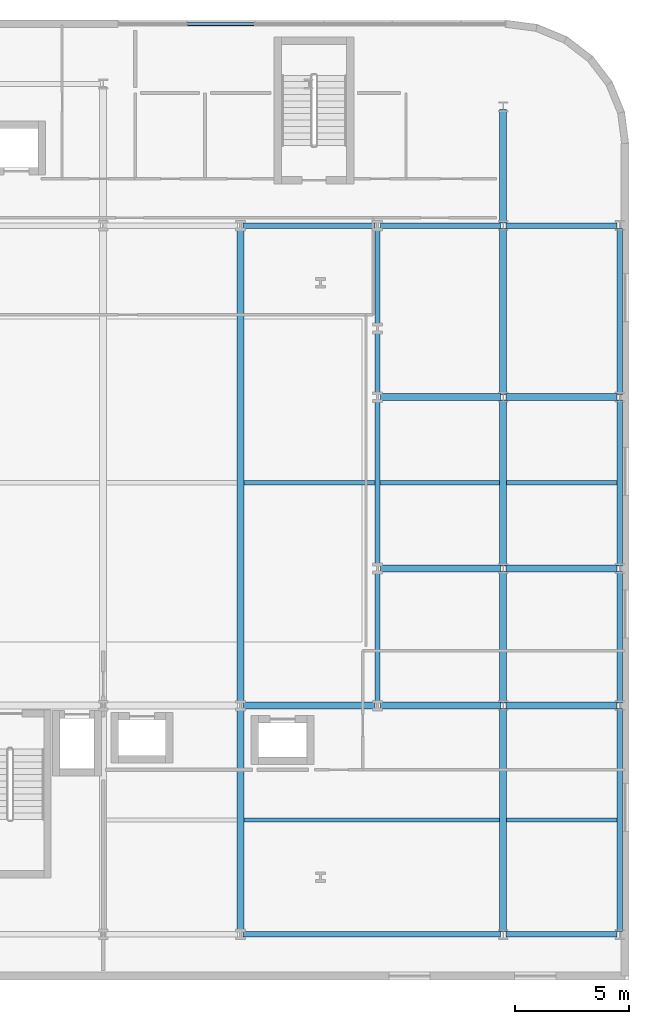
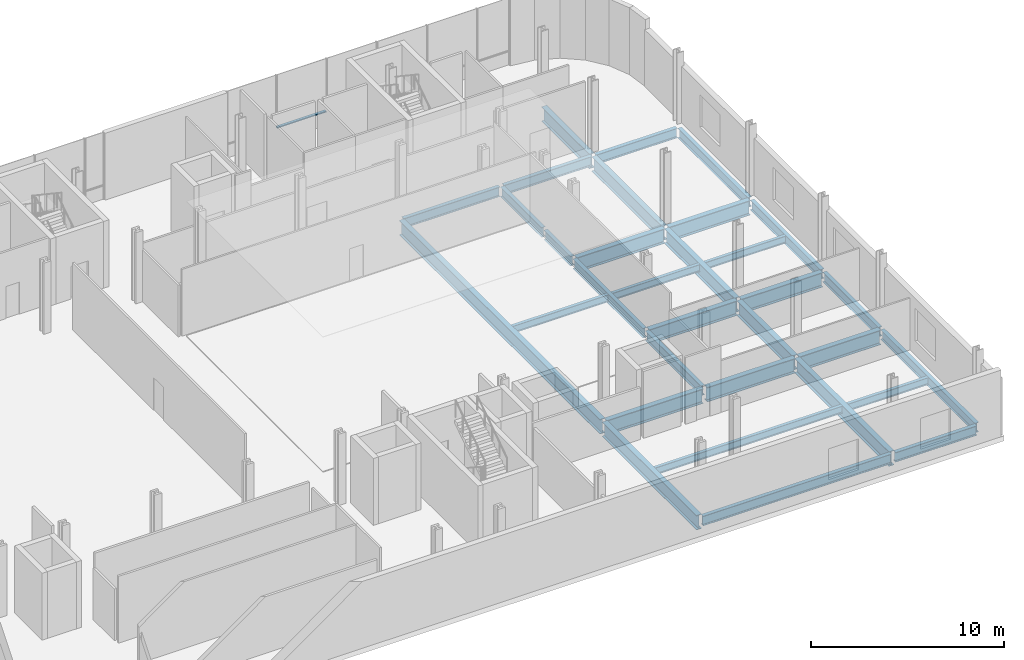
# One storey, part 12 of 25: 32 beams, 1 member, 1 element without a shape of its own.
"""IFC4 building model written with IfcOpenShell, lengths in metres."""

from ifc_helpers import new_model, si_unit, direction, frame, origin, origin_2d, place, context, subcontext, project, spatial, hollow_rectangle, i_section, extrude, material, layer, layer_set, material_profile, profile_set, type_object, element, aggregate, save


model = new_model("IFC4")

# Units and contexts
model_context = context("Model", 3, precision=1e-05, world=origin(), true_north=direction((0.0, 1.0)))
body_context = subcontext(model_context, "Body", "Model", "MODEL_VIEW")
ifc_project = project(units=[si_unit("LENGTHUNIT", "METRE"), si_unit("AREAUNIT", "SQUARE_METRE"), si_unit("VOLUMEUNIT", "CUBIC_METRE"), si_unit("PLANEANGLEUNIT", "RADIAN"), si_unit("MASSUNIT", "GRAM", prefix="KILO")], contexts=[model_context])

# Site, building, storey
site_placement = place(None, origin())
site = spatial("IfcSite", under=ifc_project, at=site_placement, CompositionType="ELEMENT")
building_placement = place(site_placement, origin())
building = spatial("IfcBuilding", under=site, at=building_placement, Name="Brevholm Reach", CompositionType="ELEMENT")
storey_placement = place(building_placement, frame((0.0, 0.0, 4.5)))
storey = spatial("IfcBuildingStorey", under=building, at=storey_placement, Name="L01", CompositionType="ELEMENT", Elevation=4.5)

# Beams
ifc_material_1 = material(Name="Structural Steel S355J2", Category="steel")
ifc_material_profile_1 = material_profile(ifc_material_1, i_section(OverallWidth=0.1904296875, OverallDepth=0.45703125, WebThickness=0.009033203125, FlangeThickness=0.014404296875, FilletRadius=0.01025390625, at=origin_2d()), Name="UKB 457x191x74")
ifc_profile_set_1 = profile_set([ifc_material_profile_1], Name="Structural Steel S355J2")
beam_type_1 = type_object("IfcBeamType", Name="BM-B457", PredefinedType="BEAM", material=ifc_profile_set_1)
beam_1_placement = place(storey_placement, frame((54.15380859375, 5.0, -0.548583984375), z_axis=(1.0, 0.0, 0.0), x_axis=(0.0, 1.0, 0.0)))
element("IfcBeam", 1, at=beam_1_placement, inside=storey, type_object=beam_type_1, Name="L01 Composite Secondary Floor Beam", PredefinedType="BEAM", context=body_context, shape_type="SweptSolid", body=[
    extrude(i_section(OverallWidth=0.1904296875, OverallDepth=0.45703125, WebThickness=0.009033203125, FlangeThickness=0.014404296875, FilletRadius=0.01025390625, at=origin_2d()), origin(), (0.0, 0.0, 1.0), 11.1923828125),
])
beam_2_placement = place(storey_placement, frame((65.65380859375, 5.0, -0.548583984375), z_axis=(1.0, 0.0, 0.0), x_axis=(0.0, 1.0, 0.0)))
element("IfcBeam", 2, at=beam_2_placement, inside=storey, type_object=beam_type_1, Name="L01 Composite Secondary Floor Beam", PredefinedType="BEAM", context=body_context, shape_type="SweptSolid", body=[
    extrude(i_section(OverallWidth=0.1904296875, OverallDepth=0.45703125, WebThickness=0.009033203125, FlangeThickness=0.014404296875, FilletRadius=0.01025390625, at=origin_2d()), origin(), (0.0, 0.0, 1.0), 4.831787109375),
])
beam_3_placement = place(storey_placement, frame((54.15380859375, 19.75, -0.548583984375), z_axis=(1.0, 0.0, 0.0), x_axis=(0.0, 1.0, 0.0)))
element("IfcBeam", 3, at=beam_3_placement, inside=storey, type_object=beam_type_1, Name="L01 Composite Secondary Floor Beam", PredefinedType="BEAM", context=body_context, shape_type="SweptSolid", body=[
    extrude(i_section(OverallWidth=0.1904296875, OverallDepth=0.45703125, WebThickness=0.009033203125, FlangeThickness=0.014404296875, FilletRadius=0.01025390625, at=origin_2d()), origin(), (0.0, 0.0, 1.0), 5.731689453125),
])
beam_4_placement = place(storey_placement, frame((60.114501953125, 19.75, -0.548583984375), z_axis=(1.0, 0.0, 0.0), x_axis=(0.0, 1.0, 0.0)))
element("IfcBeam", 4, at=beam_4_placement, inside=storey, type_object=beam_type_1, Name="L01 Composite Secondary Floor Beam", PredefinedType="BEAM", context=body_context, shape_type="SweptSolid", body=[
    extrude(i_section(OverallWidth=0.1904296875, OverallDepth=0.45703125, WebThickness=0.009033203125, FlangeThickness=0.014404296875, FilletRadius=0.01025390625, at=origin_2d()), origin(), (0.0, 0.0, 1.0), 5.231689453125),
])
beam_5_placement = place(storey_placement, frame((65.65380859375, 19.75, -0.548583984375), z_axis=(1.0, 0.0, 0.0), x_axis=(0.0, 1.0, 0.0)))
element("IfcBeam", 5, at=beam_5_placement, inside=storey, type_object=beam_type_1, Name="L01 Composite Secondary Floor Beam", PredefinedType="BEAM", context=body_context, shape_type="SweptSolid", body=[
    extrude(i_section(OverallWidth=0.1904296875, OverallDepth=0.45703125, WebThickness=0.009033203125, FlangeThickness=0.014404296875, FilletRadius=0.01025390625, at=origin_2d()), origin(), (0.0, 0.0, 1.0), 4.831787109375),
])
ifc_material_2 = material(Name="Structural Steel S355J2", Category="steel")
ifc_material_profile_2 = material_profile(ifc_material_2, i_section(OverallWidth=0.22900390625, OverallDepth=0.6123046875, WebThickness=0.011962890625, FlangeThickness=0.01953125, FilletRadius=0.0126953125, at=origin_2d()), Name="UKB 610x229x125")
ifc_profile_set_2 = profile_set([ifc_material_profile_2], Name="Structural Steel S355J2")
beam_type_2 = type_object("IfcBeamType", Name="BM-SP610", PredefinedType="SPANDREL", material=ifc_profile_set_2)
beam_6_placement = place(storey_placement, frame((54.1201171875, 0.0, -0.626220703125), z_axis=(1.0, 0.0, 0.0), x_axis=(0.0, 1.0, 0.0)))
element("IfcBeam", 6, at=beam_6_placement, inside=storey, type_object=beam_type_2, Name="L01 SP-01 Framing Beam", PredefinedType="SPANDREL", context=body_context, shape_type="SweptSolid", body=[
    extrude(i_section(OverallWidth=0.22900390625, OverallDepth=0.6123046875, WebThickness=0.011962890625, FlangeThickness=0.01953125, FilletRadius=0.0126953125, at=origin_2d()), origin(), (0.0, 0.0, 1.0), 11.259765625),
])
beam_7_placement = place(storey_placement, frame((65.6201171875, 0.0, -0.626220703125), z_axis=(1.0, 0.0, 0.0), x_axis=(0.0, 1.0, 0.0)))
element("IfcBeam", 7, at=beam_7_placement, inside=storey, type_object=beam_type_2, Name="L01 SP-01 Framing Beam", PredefinedType="SPANDREL", context=body_context, shape_type="SweptSolid", body=[
    extrude(i_section(OverallWidth=0.22900390625, OverallDepth=0.6123046875, WebThickness=0.011962890625, FlangeThickness=0.01953125, FilletRadius=0.0126953125, at=origin_2d()), origin(), (0.0, 0.0, 1.0), 4.85986328125),
])
beam_8_placement = place(storey_placement, frame((54.1201171875, 31.0, -0.626220703125), z_axis=(1.0, 0.0, 0.0), x_axis=(0.0, 1.0, 0.0)))
element("IfcBeam", 8, at=beam_8_placement, inside=storey, type_object=beam_type_2, Name="L01 SP-01 Framing Beam", PredefinedType="SPANDREL", context=body_context, shape_type="SweptSolid", body=[
    extrude(i_section(OverallWidth=0.22900390625, OverallDepth=0.6123046875, WebThickness=0.011962890625, FlangeThickness=0.01953125, FilletRadius=0.0126953125, at=origin_2d()), origin(), (0.0, 0.0, 1.0), 5.759765625),
])
beam_9_placement = place(storey_placement, frame((60.1201171875, 31.0, -0.626220703125), z_axis=(1.0, 0.0, 0.0), x_axis=(0.0, 1.0, 0.0)))
element("IfcBeam", 9, at=beam_9_placement, inside=storey, type_object=beam_type_2, Name="L01 SP-01 Framing Beam", PredefinedType="SPANDREL", context=body_context, shape_type="SweptSolid", body=[
    extrude(i_section(OverallWidth=0.22900390625, OverallDepth=0.6123046875, WebThickness=0.011962890625, FlangeThickness=0.01953125, FilletRadius=0.0126953125, at=origin_2d()), origin(), (0.0, 0.0, 1.0), 5.259765625),
])
beam_10_placement = place(storey_placement, frame((65.6201171875, 31.0, -0.626220703125), z_axis=(1.0, 0.0, 0.0), x_axis=(0.0, 1.0, 0.0)))
element("IfcBeam", 10, at=beam_10_placement, inside=storey, type_object=beam_type_2, Name="L01 SP-01 Framing Beam", PredefinedType="SPANDREL", context=body_context, shape_type="SweptSolid", body=[
    extrude(i_section(OverallWidth=0.22900390625, OverallDepth=0.6123046875, WebThickness=0.011962890625, FlangeThickness=0.01953125, FilletRadius=0.0126953125, at=origin_2d()), origin(), (0.0, 0.0, 1.0), 4.85986328125),
])
beam_11_placement = place(storey_placement, frame((60.0, 10.1201171875, -0.626220703125), z_axis=(0.0, 1.0, 0.0), x_axis=(-1.0, 0.0, 0.0)))
element("IfcBeam", 11, at=beam_11_placement, inside=storey, type_object=beam_type_2, Name="L01 SP-01 Framing Beam", PredefinedType="SPANDREL", context=body_context, shape_type="SweptSolid", body=[
    extrude(i_section(OverallWidth=0.22900390625, OverallDepth=0.6123046875, WebThickness=0.011962890625, FlangeThickness=0.01953125, FilletRadius=0.0126953125, at=origin_2d()), origin(), (0.0, 0.0, 1.0), 5.759765625),
])
beam_12_placement = place(storey_placement, frame((60.0, 16.1201171875, -0.626220703125), z_axis=(0.0, 1.0, 0.0), x_axis=(-1.0, 0.0, 0.0)))
element("IfcBeam", 12, at=beam_12_placement, inside=storey, type_object=beam_type_2, Name="L01 SP-01 Framing Beam", PredefinedType="SPANDREL", context=body_context, shape_type="SweptSolid", body=[
    extrude(i_section(OverallWidth=0.22900390625, OverallDepth=0.6123046875, WebThickness=0.011962890625, FlangeThickness=0.01953125, FilletRadius=0.0126953125, at=origin_2d()), origin(), (0.0, 0.0, 1.0), 7.259765625),
])
beam_13_placement = place(storey_placement, frame((60.0, 23.6201171875, -0.626220703125), z_axis=(0.0, 1.0, 0.0), x_axis=(-1.0, 0.0, 0.0)))
element("IfcBeam", 13, at=beam_13_placement, inside=storey, type_object=beam_type_2, Name="L01 SP-01 Framing Beam", PredefinedType="SPANDREL", context=body_context, shape_type="SweptSolid", body=[
    extrude(i_section(OverallWidth=0.22900390625, OverallDepth=0.6123046875, WebThickness=0.011962890625, FlangeThickness=0.01953125, FilletRadius=0.0126953125, at=origin_2d()), origin(), (0.0, 0.0, 1.0), 2.759765625),
])
beam_14_placement = place(storey_placement, frame((60.0, 26.6201171875, -0.626220703125), z_axis=(0.0, 1.0, 0.0), x_axis=(-1.0, 0.0, 0.0)))
element("IfcBeam", 14, at=beam_14_placement, inside=storey, type_object=beam_type_2, Name="L01 SP-01 Framing Beam", PredefinedType="SPANDREL", context=body_context, shape_type="SweptSolid", body=[
    extrude(i_section(OverallWidth=0.22900390625, OverallDepth=0.6123046875, WebThickness=0.011962890625, FlangeThickness=0.01953125, FilletRadius=0.0126953125, at=origin_2d()), origin(), (0.0, 0.0, 1.0), 4.259765625),
])
beam_15_placement = place(storey_placement, frame((70.60009765625, 0.1201171875, -0.626220703125), z_axis=(0.0, 1.0, 0.0), x_axis=(-1.0, 0.0, 0.0)))
element("IfcBeam", 15, at=beam_15_placement, inside=storey, type_object=beam_type_2, Name="L01 SP-01 Framing Beam", PredefinedType="SPANDREL", context=body_context, shape_type="SweptSolid", body=[
    extrude(i_section(OverallWidth=0.22900390625, OverallDepth=0.6123046875, WebThickness=0.011962890625, FlangeThickness=0.01953125, FilletRadius=0.0126953125, at=origin_2d()), origin(), (0.0, 0.0, 1.0), 9.759765625),
])
beam_16_placement = place(storey_placement, frame((70.60009765625, 10.1201171875, -0.626220703125), z_axis=(0.0, 1.0, 0.0), x_axis=(-1.0, 0.0, 0.0)))
element("IfcBeam", 16, at=beam_16_placement, inside=storey, type_object=beam_type_2, Name="L01 SP-01 Framing Beam", PredefinedType="SPANDREL", context=body_context, shape_type="SweptSolid", body=[
    extrude(i_section(OverallWidth=0.22900390625, OverallDepth=0.6123046875, WebThickness=0.011962890625, FlangeThickness=0.01953125, FilletRadius=0.0126953125, at=origin_2d()), origin(), (0.0, 0.0, 1.0), 5.759765625),
])
for number, where, z_axis, x_axis, name in (
    (17, (70.60009765625, 16.1201171875, -0.626220703125), (0.0, 1.0, 0.0), (-1.0, 0.0, 0.0), "L01 SP-01 Framing Beam"),
    (18, (70.60009765625, 23.6201171875, -0.626220703125), (0.0, 1.0, 0.0), (-1.0, 0.0, 0.0), "L01 SP-01 Framing Beam"),
):
    element("IfcBeam", number, at=place(storey_placement, frame(where, z_axis=z_axis, x_axis=x_axis)), inside=storey, type_object=beam_type_2, Name=name, PredefinedType="SPANDREL", context=body_context, shape_type="SweptSolid", body=[
        extrude(i_section(OverallWidth=0.22900390625, OverallDepth=0.6123046875, WebThickness=0.011962890625, FlangeThickness=0.01953125, FilletRadius=0.0126953125, at=origin_2d()), origin(), (0.0, 0.0, 1.0), 7.259765625),
    ])
ifc_material_3 = material(Name="Structural Steel S460ML", Category="steel")
ifc_material_profile_3 = material_profile(ifc_material_3, i_section(OverallWidth=0.3076171875, OverallDepth=0.926513671875, WebThickness=0.01953125, FlangeThickness=0.031982421875, FilletRadius=0.01904296875, at=origin_2d()), Name="UKB 914x305x289")
ifc_profile_set_3 = profile_set([ifc_material_profile_3], Name="Structural Steel S460ML")
beam_type_3 = type_object("IfcBeamType", Name="BM-UKB914B", PredefinedType="USERDEFINED", material=ifc_profile_set_3)
beam_17_placement = place(storey_placement, frame((54.1201171875, 10.0, -0.783203125), z_axis=(1.0, 0.0, 0.0), x_axis=(0.0, 1.0, 0.0)))
element("IfcBeam", 19, at=beam_17_placement, inside=storey, type_object=beam_type_3, Name="L01 G-02B Framing Beam", ObjectType="GIRDER", PredefinedType="USERDEFINED", context=body_context, shape_type="SweptSolid", body=[
    extrude(i_section(OverallWidth=0.3076171875, OverallDepth=0.926513671875, WebThickness=0.01953125, FlangeThickness=0.031982421875, FilletRadius=0.01904296875, at=origin_2d()), origin(), (0.0, 0.0, 1.0), 5.759765625),
])
beam_18_placement = place(storey_placement, frame((60.1201171875, 10.0, -0.783203125), z_axis=(1.0, 0.0, 0.0), x_axis=(0.0, 1.0, 0.0)))
element("IfcBeam", 20, at=beam_18_placement, inside=storey, type_object=beam_type_3, Name="L01 G-02B Framing Beam", ObjectType="GIRDER", PredefinedType="USERDEFINED", context=body_context, shape_type="SweptSolid", body=[
    extrude(i_section(OverallWidth=0.3076171875, OverallDepth=0.926513671875, WebThickness=0.01953125, FlangeThickness=0.031982421875, FilletRadius=0.01904296875, at=origin_2d()), origin(), (0.0, 0.0, 1.0), 5.259765625),
])
beam_19_placement = place(storey_placement, frame((65.6201171875, 10.0, -0.783203125), z_axis=(1.0, 0.0, 0.0), x_axis=(0.0, 1.0, 0.0)))
element("IfcBeam", 21, at=beam_19_placement, inside=storey, type_object=beam_type_3, Name="L01 G-02B Framing Beam", ObjectType="GIRDER", PredefinedType="USERDEFINED", context=body_context, shape_type="SweptSolid", body=[
    extrude(i_section(OverallWidth=0.3076171875, OverallDepth=0.926513671875, WebThickness=0.01953125, FlangeThickness=0.031982421875, FilletRadius=0.01904296875, at=origin_2d()), origin(), (0.0, 0.0, 1.0), 4.85986328125),
])
beam_20_placement = place(storey_placement, frame((60.1201171875, 16.0, -0.783203125), z_axis=(1.0, 0.0, 0.0), x_axis=(0.0, 1.0, 0.0)))
element("IfcBeam", 22, at=beam_20_placement, inside=storey, type_object=beam_type_3, Name="L01 G-02B Framing Beam", ObjectType="GIRDER", PredefinedType="USERDEFINED", context=body_context, shape_type="SweptSolid", body=[
    extrude(i_section(OverallWidth=0.3076171875, OverallDepth=0.926513671875, WebThickness=0.01953125, FlangeThickness=0.031982421875, FilletRadius=0.01904296875, at=origin_2d()), origin(), (0.0, 0.0, 1.0), 5.259765625),
])
beam_21_placement = place(storey_placement, frame((65.6201171875, 16.0, -0.783203125), z_axis=(1.0, 0.0, 0.0), x_axis=(0.0, 1.0, 0.0)))
element("IfcBeam", 23, at=beam_21_placement, inside=storey, type_object=beam_type_3, Name="L01 G-02B Framing Beam", ObjectType="GIRDER", PredefinedType="USERDEFINED", context=body_context, shape_type="SweptSolid", body=[
    extrude(i_section(OverallWidth=0.3076171875, OverallDepth=0.926513671875, WebThickness=0.01953125, FlangeThickness=0.031982421875, FilletRadius=0.01904296875, at=origin_2d()), origin(), (0.0, 0.0, 1.0), 4.85986328125),
])
beam_22_placement = place(storey_placement, frame((60.1201171875, 23.5, -0.783203125), z_axis=(1.0, 0.0, 0.0), x_axis=(0.0, 1.0, 0.0)))
element("IfcBeam", 24, at=beam_22_placement, inside=storey, type_object=beam_type_3, Name="L01 G-02B Framing Beam", ObjectType="GIRDER", PredefinedType="USERDEFINED", context=body_context, shape_type="SweptSolid", body=[
    extrude(i_section(OverallWidth=0.3076171875, OverallDepth=0.926513671875, WebThickness=0.01953125, FlangeThickness=0.031982421875, FilletRadius=0.01904296875, at=origin_2d()), origin(), (0.0, 0.0, 1.0), 5.259765625),
])
beam_23_placement = place(storey_placement, frame((65.6201171875, 23.5, -0.783203125), z_axis=(1.0, 0.0, 0.0), x_axis=(0.0, 1.0, 0.0)))
element("IfcBeam", 25, at=beam_23_placement, inside=storey, type_object=beam_type_3, Name="L01 G-02B Framing Beam", ObjectType="GIRDER", PredefinedType="USERDEFINED", context=body_context, shape_type="SweptSolid", body=[
    extrude(i_section(OverallWidth=0.3076171875, OverallDepth=0.926513671875, WebThickness=0.01953125, FlangeThickness=0.031982421875, FilletRadius=0.01904296875, at=origin_2d()), origin(), (0.0, 0.0, 1.0), 4.85986328125),
])
beam_24_placement = place(storey_placement, frame((54.0, 0.1201171875, -0.783203125), z_axis=(0.0, 1.0, 0.0), x_axis=(-1.0, 0.0, 0.0)))
element("IfcBeam", 26, at=beam_24_placement, inside=storey, type_object=beam_type_3, Name="L01 G-02B Framing Beam", ObjectType="GIRDER", PredefinedType="USERDEFINED", context=body_context, shape_type="SweptSolid", body=[
    extrude(i_section(OverallWidth=0.3076171875, OverallDepth=0.926513671875, WebThickness=0.01953125, FlangeThickness=0.031982421875, FilletRadius=0.01904296875, at=origin_2d()), origin(), (0.0, 0.0, 1.0), 9.759765625),
])
beam_25_placement = place(storey_placement, frame((54.0, 10.1201171875, -0.783203125), z_axis=(0.0, 1.0, 0.0), x_axis=(-1.0, 0.0, 0.0)))
element("IfcBeam", 27, at=beam_25_placement, inside=storey, type_object=beam_type_3, Name="L01 G-02B Framing Beam", ObjectType="GIRDER", PredefinedType="USERDEFINED", context=body_context, shape_type="SweptSolid", body=[
    extrude(i_section(OverallWidth=0.3076171875, OverallDepth=0.926513671875, WebThickness=0.01953125, FlangeThickness=0.031982421875, FilletRadius=0.01904296875, at=origin_2d()), origin(), (0.0, 0.0, 1.0), 20.759765625),
])
beam_26_placement = place(storey_placement, frame((65.5, 0.1201171875, -0.783203125), z_axis=(0.0, 1.0, 0.0), x_axis=(-1.0, 0.0, 0.0)))
element("IfcBeam", 28, at=beam_26_placement, inside=storey, type_object=beam_type_3, Name="L01 G-02B Framing Beam", ObjectType="GIRDER", PredefinedType="USERDEFINED", context=body_context, shape_type="SweptSolid", body=[
    extrude(i_section(OverallWidth=0.3076171875, OverallDepth=0.926513671875, WebThickness=0.01953125, FlangeThickness=0.031982421875, FilletRadius=0.01904296875, at=origin_2d()), origin(), (0.0, 0.0, 1.0), 9.759765625),
])
beam_27_placement = place(storey_placement, frame((65.5, 10.1201171875, -0.783203125), z_axis=(0.0, 1.0, 0.0), x_axis=(-1.0, 0.0, 0.0)))
element("IfcBeam", 29, at=beam_27_placement, inside=storey, type_object=beam_type_3, Name="L01 G-02B Framing Beam", ObjectType="GIRDER", PredefinedType="USERDEFINED", context=body_context, shape_type="SweptSolid", body=[
    extrude(i_section(OverallWidth=0.3076171875, OverallDepth=0.926513671875, WebThickness=0.01953125, FlangeThickness=0.031982421875, FilletRadius=0.01904296875, at=origin_2d()), origin(), (0.0, 0.0, 1.0), 5.759765625),
])
for number, where, z_axis, x_axis, name in (
    (30, (65.5, 16.1201171875, -0.783203125), (0.0, 1.0, 0.0), (-1.0, 0.0, 0.0), "L01 G-02B Framing Beam"),
    (31, (65.5, 23.6201171875, -0.783203125), (0.0, 1.0, 0.0), (-1.0, 0.0, 0.0), "L01 G-02B Framing Beam"),
):
    element("IfcBeam", number, at=place(storey_placement, frame(where, z_axis=z_axis, x_axis=x_axis)), inside=storey, type_object=beam_type_3, Name=name, ObjectType="GIRDER", PredefinedType="USERDEFINED", context=body_context, shape_type="SweptSolid", body=[
        extrude(i_section(OverallWidth=0.3076171875, OverallDepth=0.926513671875, WebThickness=0.01953125, FlangeThickness=0.031982421875, FilletRadius=0.01904296875, at=origin_2d()), origin(), (0.0, 0.0, 1.0), 7.259765625),
    ])
beam_28_placement = place(storey_placement, frame((65.5, 31.1201171875, -0.783203125), z_axis=(0.0, 1.0, 0.0), x_axis=(-1.0, 0.0, 0.0)))
element("IfcBeam", 32, at=beam_28_placement, inside=storey, type_object=beam_type_3, Name="L01 G-02B Framing Beam", ObjectType="GIRDER", PredefinedType="USERDEFINED", context=body_context, shape_type="SweptSolid", body=[
    extrude(i_section(OverallWidth=0.3076171875, OverallDepth=0.926513671875, WebThickness=0.01953125, FlangeThickness=0.031982421875, FilletRadius=0.01904296875, at=origin_2d()), origin(), (0.0, 0.0, 1.0), 4.9599609375),
])

# Curtain wall, member
ifc_material_4 = material(Name="Dark Anodised Aluminium 6063-T6 and Solar-Control Glass", Category="aluminium")
ifc_layer = layer(ifc_material_4, 0.1650390625)
ifc_layer_set = layer_set([ifc_layer], Name="Dark Anodised Aluminium 6063-T6 and Solar-Control Glass")
curtain_wall_type = type_object("IfcCurtainWallType", Name="CW-03", PredefinedType="NOTDEFINED", material=ifc_layer_set)
curtain_wall_placement = place(storey_placement, origin())
curtain_wall = element("IfcCurtainWall", 33, at=curtain_wall_placement, inside=storey, type_object=curtain_wall_type, Name="L01 Curtain Wall CW-03", PredefinedType="NOTDEFINED")
ifc_material_5 = material(Name="Dark Anodised Aluminium 6063-T6", Category="aluminium")
ifc_material_profile_4 = material_profile(ifc_material_5, hollow_rectangle(XDim=0.070068359375, YDim=0.1650390625, WallThickness=0.0048828125, InnerFilletRadius=0.0048828125, OuterFilletRadius=0.010009765625, at=origin_2d()), Name="RHS 165x70x5")
ifc_profile_set_4 = profile_set([ifc_material_profile_4], Name="Dark Anodised Aluminium 6063-T6")
member_type = type_object("IfcMemberType", Name="CWT-165", PredefinedType="NOTDEFINED", material=ifc_profile_set_4)
member_placement = place(storey_placement, frame((51.68505859375, 39.830078125, 0.89990234375), z_axis=(1.0, 0.0, 0.0), x_axis=(0.0, 0.0, 1.0)))
member = element("IfcMember", 34, at=member_placement, type_object=member_type, Name="CT-165 Transom 2.1", ObjectType="TRANSOM", PredefinedType="USERDEFINED", context=body_context, shape_type="SweptSolid", body=[
    extrude(hollow_rectangle(XDim=0.070068359375, YDim=0.1650390625, WallThickness=0.0048828125, InnerFilletRadius=0.0048828125, OuterFilletRadius=0.010009765625, at=origin_2d()), origin(), (0.0, 0.0, 1.0), 2.929931640625),
])
aggregate(curtain_wall, [member])

save(model, "model.ifc")
